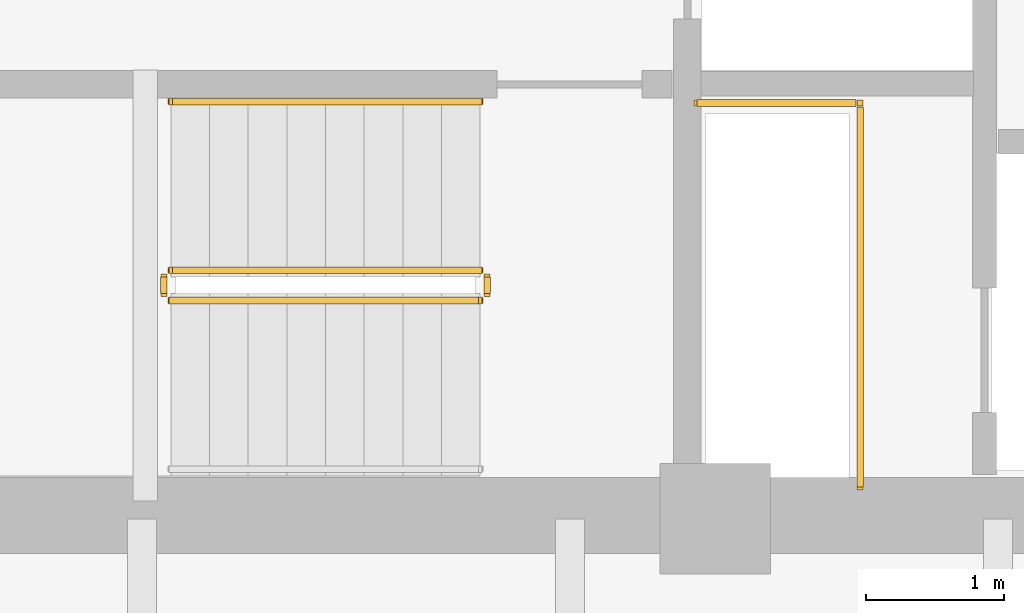
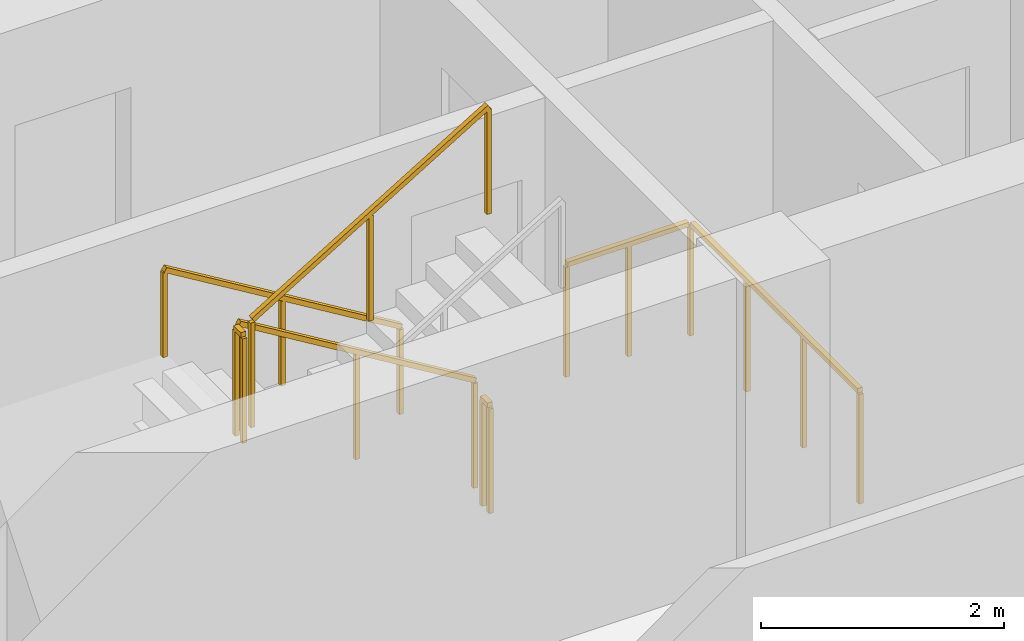
# One storey, part 13 of 17: 6 railings.
"""IFC4 building model written with IfcOpenShell, lengths in metres."""

from ifc_helpers import new_model, si_unit, direction, frame, origin, origin_2d, place, context, subcontext, project, spatial, rectangle, extrude, material, type_object, element, save


model = new_model("IFC4")

# Units and contexts
model_context = context("Model", 3, precision=1e-05, world=origin(), true_north=direction((0.0, 1.0)))
body_context = subcontext(model_context, "Body", "Model", "MODEL_VIEW")
ifc_project = project(units=[si_unit("LENGTHUNIT", "METRE"), si_unit("AREAUNIT", "SQUARE_METRE"), si_unit("VOLUMEUNIT", "CUBIC_METRE"), si_unit("PLANEANGLEUNIT", "RADIAN"), si_unit("MASSUNIT", "GRAM", prefix="KILO")], contexts=[model_context])

# Site, building, storey
site_placement = place(None, origin())
site = spatial("IfcSite", under=ifc_project, at=site_placement, CompositionType="ELEMENT")
building_placement = place(site_placement, origin())
building = spatial("IfcBuilding", under=site, at=building_placement, Name="Qhalaya Broadcast Tower", CompositionType="ELEMENT")
storey_placement = place(building_placement, frame((0.0, 0.0, 26.10009765625)))
storey = spatial("IfcBuildingStorey", under=building, at=storey_placement, Name="L06", CompositionType="ELEMENT", Elevation=26.10009765625)

# Railings
ifc_material = material(Name="Powder-Coated Galvanised Steel", Category="steel")
railing_type_1 = type_object("IfcRailingType", Name="Stair Wall Handrail 900", PredefinedType="HANDRAIL", material=ifc_material)
railing_1_placement = place(storey_placement, frame((-3.75, -5.72998046875, 0.16943359375)))
element("IfcRailing", 1, at=railing_1_placement, inside=storey, type_object=railing_type_1, Name="L06 ST-2 Stair Handrail 1", PredefinedType="HANDRAIL", context=body_context, shape_type="SweptSolid", body=[
    extrude(rectangle(XDim=0.048095703125, YDim=0.048095703125, at=origin_2d()), frame((0.0, 0.0, 0.8759765625), z_axis=(-0.855553338991, 0.0, 0.51771467445), x_axis=(0.0, -1.0, 0.0)), (0.0, 0.0, 1.0), 2.6181640625),
    extrude(rectangle(XDim=0.0419921875, YDim=0.0419921875, at=origin_2d()), origin(), (0.0, 0.0, 1.0), 0.849853515625),
    extrude(rectangle(XDim=0.0419921875, YDim=0.0419921875, at=origin_2d()), frame((-1.1201171875, 0.0, 0.677734375)), (0.0, 0.0, 1.0), 0.849853515625),
    extrude(rectangle(XDim=0.0419921875, YDim=0.0419921875, at=origin_2d()), frame((-2.239990234375, 0.0, 1.35546875)), (0.0, 0.0, 1.0), 0.849853515625),
])
railing_type_2 = type_object("IfcRailingType", Name="Stair Well & Landing Guardrail 1100", PredefinedType="GUARDRAIL", material=ifc_material)
railing_2_placement = place(storey_placement, frame((-1.0, -8.52001953125, 0.0)))
element("IfcRailing", 2, at=railing_2_placement, inside=storey, type_object=railing_type_2, Name="L06 Service Riser Opening Safety Guard SRSR", PredefinedType="GUARDRAIL", context=body_context, shape_type="SweptSolid", body=[
    extrude(rectangle(XDim=0.048095703125, YDim=0.048095703125, at=origin_2d()), frame((0.0, 0.0, 1.1259765625), z_axis=(0.0, 1.0, 0.0), x_axis=(-1.0, 0.0, 0.0)), (0.0, 0.0, 1.0), 2.751220703125),
    extrude(rectangle(XDim=0.048095703125, YDim=0.048095703125, at=origin_2d()), frame((-0.02880859375, 2.780029296875, 1.1259765625), z_axis=(-1.0, 0.0, 0.0), x_axis=(0.0, -1.0, 0.0)), (0.0, 0.0, 1.0), 1.151123046875),
    extrude(rectangle(XDim=0.0419921875, YDim=0.0419921875, at=origin_2d()), origin(), (0.0, 0.0, 1.0), 1.099853515625),
    extrude(rectangle(XDim=0.0419921875, YDim=0.0419921875, at=origin_2d()), frame((0.0, 0.9267578125, 0.0)), (0.0, 0.0, 1.0), 1.099853515625),
    extrude(rectangle(XDim=0.0419921875, YDim=0.0419921875, at=origin_2d()), frame((0.0, 1.853271484375, 0.0)), (0.0, 0.0, 1.0), 1.099853515625),
    extrude(rectangle(XDim=0.0419921875, YDim=0.0419921875, at=origin_2d()), frame((0.0, 2.780029296875, 0.0)), (0.0, 0.0, 1.0), 1.099853515625),
    extrude(rectangle(XDim=0.0419921875, YDim=0.0419921875, at=origin_2d()), frame((-0.58984375, 2.780029296875, 0.0)), (0.0, 0.0, 1.0), 1.099853515625),
    extrude(rectangle(XDim=0.0419921875, YDim=0.0419921875, at=origin_2d()), frame((-1.179931640625, 2.780029296875, 0.0)), (0.0, 0.0, 1.0), 1.099853515625),
])
railing_3_placement = place(storey_placement, frame((-3.75, -6.949951171875, 0.16943359375)))
element("IfcRailing", 3, at=railing_3_placement, inside=storey, type_object=railing_type_2, Name="L06 ST-2 Stair Guard 1", PredefinedType="GUARDRAIL", context=body_context, shape_type="SweptSolid", body=[
    extrude(rectangle(XDim=0.048095703125, YDim=0.048095703125, at=origin_2d()), frame((0.0, 0.0, 1.076171875), z_axis=(-0.855553338991, 0.0, 0.51771467445), x_axis=(0.0, -1.0, 0.0)), (0.0, 0.0, 1.0), 2.6181640625),
    extrude(rectangle(XDim=0.0419921875, YDim=0.0419921875, at=origin_2d()), origin(), (0.0, 0.0, 1.0), 1.050048828125),
    extrude(rectangle(XDim=0.0419921875, YDim=0.0419921875, at=origin_2d()), frame((-1.1201171875, 0.0, 0.677734375)), (0.0, 0.0, 1.0), 1.050048828125),
    extrude(rectangle(XDim=0.0419921875, YDim=0.0419921875, at=origin_2d()), frame((-2.239990234375, 0.0, 1.35546875)), (0.0, 0.0, 1.0), 1.050048828125),
])
railing_4_placement = place(storey_placement, frame((-6.0400390625, -7.0, 1.52490234375)))
element("IfcRailing", 4, at=railing_4_placement, inside=storey, type_object=railing_type_2, Name="L06 ST-2 Stair Guard 2", PredefinedType="GUARDRAIL", context=body_context, shape_type="SweptSolid", body=[
    extrude(rectangle(XDim=0.048095703125, YDim=0.048095703125, at=origin_2d()), frame((0.0, 0.0, 1.076171875), z_axis=(0.0, -1.0, 0.0), x_axis=(1.0, 0.0, 0.0)), (0.0, 0.0, 1.0), 0.1201171875),
    extrude(rectangle(XDim=0.0419921875, YDim=0.0419921875, at=origin_2d()), origin(), (0.0, 0.0, 1.0), 1.050048828125),
    extrude(rectangle(XDim=0.0419921875, YDim=0.0419921875, at=origin_2d()), frame((0.0, -0.1201171875, 0.0)), (0.0, 0.0, 1.0), 1.050048828125),
])
railing_5_placement = place(storey_placement, frame((-5.989990234375, -7.169921875, 1.6943359375)))
element("IfcRailing", 5, at=railing_5_placement, inside=storey, type_object=railing_type_2, Name="L06 ST-2 Stair Guard 3", PredefinedType="GUARDRAIL", context=body_context, shape_type="SweptSolid", body=[
    extrude(rectangle(XDim=0.048095703125, YDim=0.048095703125, at=origin_2d()), frame((0.0, 0.0, 1.076171875), z_axis=(0.855553338991, 0.0, 0.51771467445), x_axis=(0.0, 1.0, 0.0)), (0.0, 0.0, 1.0), 2.6181640625),
    extrude(rectangle(XDim=0.0419921875, YDim=0.0419921875, at=origin_2d()), origin(), (0.0, 0.0, 1.0), 1.050048828125),
    extrude(rectangle(XDim=0.0419921875, YDim=0.0419921875, at=origin_2d()), frame((1.1201171875, 0.0, 0.677734375)), (0.0, 0.0, 1.0), 1.050048828125),
    extrude(rectangle(XDim=0.0419921875, YDim=0.0419921875, at=origin_2d()), frame((2.239990234375, 0.0, 1.35546875)), (0.0, 0.0, 1.0), 1.050048828125),
])
railing_6_placement = place(storey_placement, frame((-3.699951171875, -7.0, 0.0)))
element("IfcRailing", 6, at=railing_6_placement, inside=storey, type_object=railing_type_2, Name="L06 ST-2 Stair Guard 4", PredefinedType="GUARDRAIL", context=body_context, shape_type="SweptSolid", body=[
    extrude(rectangle(XDim=0.048095703125, YDim=0.048095703125, at=origin_2d()), frame((0.0, 0.0, 1.076171875), z_axis=(0.0, -1.0, 0.0), x_axis=(1.0, 0.0, 0.0)), (0.0, 0.0, 1.0), 0.1201171875),
    extrude(rectangle(XDim=0.0419921875, YDim=0.0419921875, at=origin_2d()), origin(), (0.0, 0.0, 1.0), 1.050048828125),
    extrude(rectangle(XDim=0.0419921875, YDim=0.0419921875, at=origin_2d()), frame((0.0, -0.1201171875, 0.0)), (0.0, 0.0, 1.0), 1.050048828125),
])

save(model, "model.ifc")
